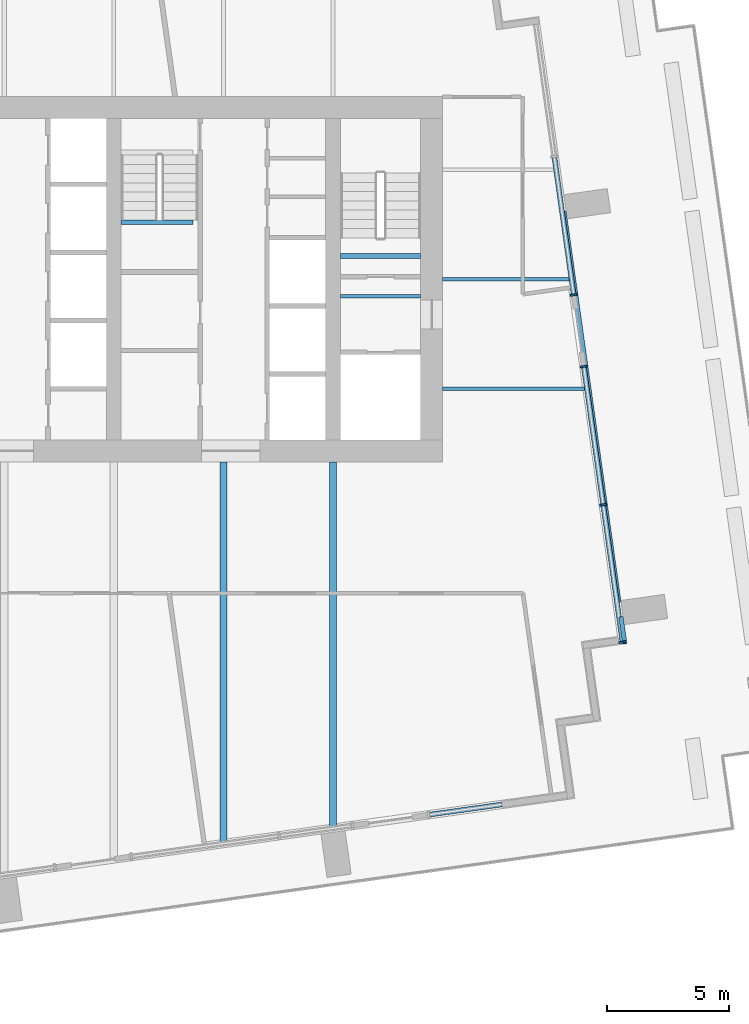
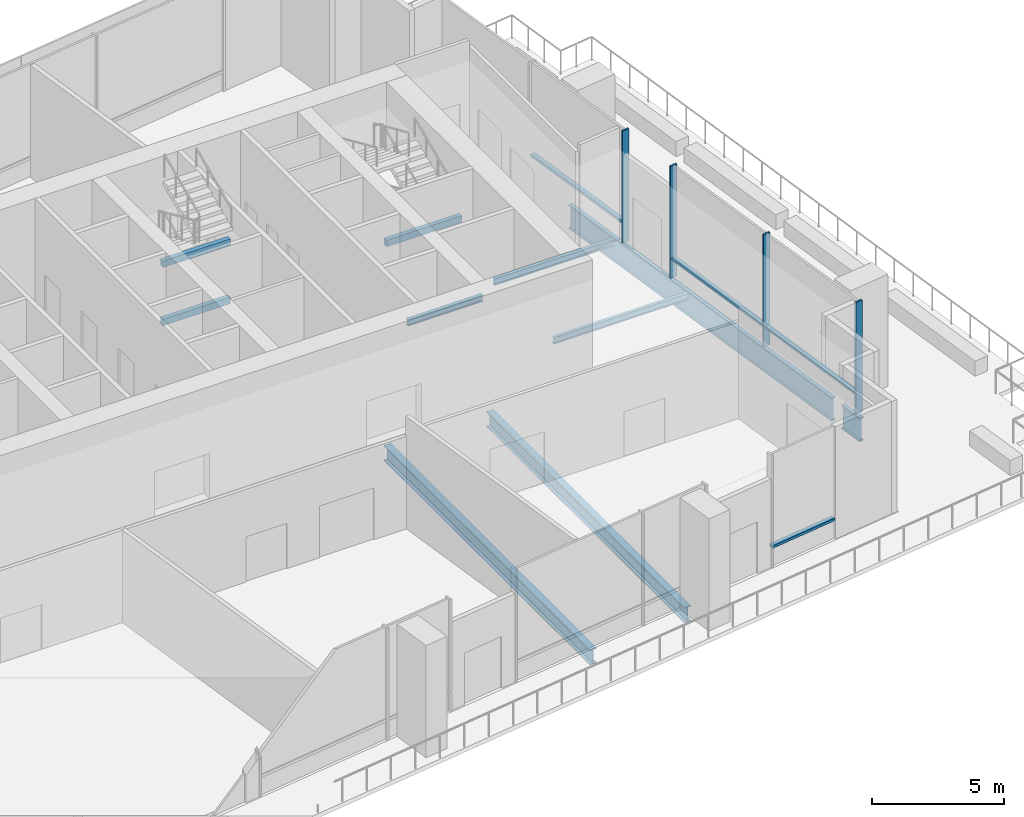
# One storey, part 3 of 14: 10 beams, 8 members, 3 elements without a shape of their own.
"""IFC4 building model written with IfcOpenShell, lengths in metres."""

from ifc_helpers import new_model, si_unit, direction, frame, origin, origin_2d, place, context, subcontext, project, spatial, rectangle, i_section, extrude, material, layer, layer_set, material_profile, profile_set, type_object, element, aggregate, save


model = new_model("IFC4")

# Units and contexts
model_context = context("Model", 3, precision=1e-05, world=origin(), true_north=direction((0.0, 1.0)))
body_context = subcontext(model_context, "Body", "Model", "MODEL_VIEW")
ifc_project = project(units=[si_unit("LENGTHUNIT", "METRE"), si_unit("AREAUNIT", "SQUARE_METRE"), si_unit("VOLUMEUNIT", "CUBIC_METRE"), si_unit("PLANEANGLEUNIT", "RADIAN"), si_unit("MASSUNIT", "GRAM", prefix="KILO")], contexts=[model_context])

# Site, building, storey
site_placement = place(None, origin())
site = spatial("IfcSite", under=ifc_project, at=site_placement, CompositionType="ELEMENT")
building_placement = place(site_placement, origin())
building = spatial("IfcBuilding", under=site, at=building_placement, Name="Rattan Terrace Tower", CompositionType="ELEMENT")
storey_placement = place(building_placement, frame((0.0, 0.0, 249.699951171875)))
storey = spatial("IfcBuildingStorey", under=building, at=storey_placement, Name="L57", CompositionType="ELEMENT", Elevation=249.699951171875)

# Beams
ifc_material_1 = material(Name="Concrete C40/50", Category="concrete")
ifc_material_profile_1 = material_profile(ifc_material_1, rectangle(XDim=0.199951171875, YDim=0.300048828125, at=origin_2d()), Name="RC 200x300")
ifc_profile_set_1 = profile_set([ifc_material_profile_1], Name="Concrete C40/50")
beam_type_1 = type_object("IfcBeamType", Name="Core landing beam RC 200x300", PredefinedType="BEAM", material=ifc_profile_set_1)
beam_1_placement = place(storey_placement, frame((13.800048828125, 0.949951171875, 2.35009765625), z_axis=(1.0, 0.0, 0.0), x_axis=(0.0, 1.0, 0.0)))
element("IfcBeam", 1, at=beam_1_placement, inside=storey, type_object=beam_type_1, Name="st-S2-L57 landing 2 edge beam", PredefinedType="BEAM", context=body_context, shape_type="SweptSolid", body=[
    extrude(rectangle(XDim=0.199951171875, YDim=0.300048828125, at=origin_2d()), origin(), (0.0, 0.0, 1.0), 3.300048828125),
])
for number, where, z_axis, x_axis, name in (
    (2, (4.800048828125, 2.340087890625, 1.0), (1.0, 0.0, 0.0), (0.0, 1.0, 0.0), "st-S3-L57 landing 1 edge beam"),
    (3, (4.800048828125, 2.340087890625, 3.699951171875), (1.0, 0.0, 0.0), (0.0, 1.0, 0.0), "st-S3-L57 landing 3 edge beam"),
):
    element("IfcBeam", number, at=place(storey_placement, frame(where, z_axis=z_axis, x_axis=x_axis)), inside=storey, type_object=beam_type_1, Name=name, PredefinedType="BEAM", context=body_context, shape_type="SweptSolid", body=[
        extrude(rectangle(XDim=0.199951171875, YDim=0.300048828125, at=origin_2d()), origin(), (0.0, 0.0, 1.0), 2.949951171875),
    ])
ifc_material_2 = material(Name="Steel S460", Category="steel")
ifc_material_profile_2 = material_profile(ifc_material_2, i_section(OverallWidth=0.179931640625, OverallDepth=1.10009765625, WebThickness=0.01611328125, FlangeThickness=0.050048828125, at=origin_2d()), Name="PG 1100x180-16-50")
ifc_profile_set_2 = profile_set([ifc_material_profile_2], Name="Steel S460")
beam_type_2 = type_object("IfcBeamType", Name="Frame edge girder PG 1100x180-16-50", PredefinedType="SPANDREL", material=ifc_profile_set_2)
beam_2_placement = place(storey_placement, frame((25.325927734375, -13.860107421875, -0.75), z_axis=(0.139178552041, -0.990267302627, 0.0), x_axis=(0.990267302627, 0.139178552041, 0.0)))
element("IfcBeam", 4, at=beam_2_placement, inside=storey, type_object=beam_type_2, Name="gdr-L57-006", PredefinedType="SPANDREL", context=body_context, shape_type="SweptSolid", body=[
    extrude(i_section(OverallWidth=0.179931640625, OverallDepth=1.10009765625, WebThickness=0.01611328125, FlangeThickness=0.050048828125, at=origin_2d()), origin(), (0.0, 0.0, 1.0), 1.1279296875),
])
beam_3_placement = place(storey_placement, frame((25.241943359375, -13.260009765625, -0.75), z_axis=(-0.139231304835, 0.990259886976, 0.0), x_axis=(-0.990259886976, -0.139231304835, 0.0)))
element("IfcBeam", 5, at=beam_3_placement, inside=storey, type_object=beam_type_2, Name="gdr-L57-007", PredefinedType="SPANDREL", context=body_context, shape_type="SweptSolid", body=[
    extrude(i_section(OverallWidth=0.179931640625, OverallDepth=1.10009765625, WebThickness=0.01611328125, FlangeThickness=0.050048828125, at=origin_2d()), origin(), (0.0, 0.0, 1.0), 16.218017578125),
])
ifc_material_3 = material(Name="Steel S355", Category="steel")
ifc_material_profile_3 = material_profile(ifc_material_3, i_section(OverallWidth=0.300048828125, OverallDepth=0.699951171875, WebThickness=0.01708984375, FlangeThickness=0.031982421875, FilletRadius=0.027099609375, at=origin_2d()), Name="HE 700 B")
ifc_profile_set_3 = profile_set([ifc_material_profile_3], Name="Steel S355")
beam_type_3 = type_object("IfcBeamType", Name="Frame floor beam HE 700 B", PredefinedType="JOIST", material=ifc_profile_set_3)
beam_4_placement = place(storey_placement, frame((9.0, -23.14892578125, -0.550048828125), z_axis=(0.0, 1.0, 0.0), x_axis=(-1.0, 0.0, 0.0)))
element("IfcBeam", 6, at=beam_4_placement, inside=storey, type_object=beam_type_3, Name="bm-L57-008", PredefinedType="JOIST", context=body_context, shape_type="SweptSolid", body=[
    extrude(i_section(OverallWidth=0.300048828125, OverallDepth=0.699951171875, WebThickness=0.01708984375, FlangeThickness=0.031982421875, FilletRadius=0.027099609375, at=origin_2d()), origin(), (0.0, 0.0, 1.0), 15.64892578125),
])
beam_5_placement = place(storey_placement, frame((13.5, -22.51611328125, -0.550048828125), z_axis=(0.0, 1.0, 0.0), x_axis=(-1.0, 0.0, 0.0)))
element("IfcBeam", 7, at=beam_5_placement, inside=storey, type_object=beam_type_3, Name="bm-L57-009", PredefinedType="JOIST", context=body_context, shape_type="SweptSolid", body=[
    extrude(i_section(OverallWidth=0.300048828125, OverallDepth=0.699951171875, WebThickness=0.01708984375, FlangeThickness=0.031982421875, FilletRadius=0.027099609375, at=origin_2d()), origin(), (0.0, 0.0, 1.0), 15.01611328125),
])
ifc_material_4 = material(Name="Steel S355", Category="steel")
ifc_material_profile_4 = material_profile(ifc_material_4, i_section(OverallWidth=0.14990234375, OverallDepth=0.300048828125, WebThickness=0.007080078125, FlangeThickness=0.0107421875, FilletRadius=0.014892578125, at=origin_2d()), Name="IPE 300")
ifc_profile_set_4 = profile_set([ifc_material_profile_4], Name="Steel S355")
beam_type_4 = type_object("IfcBeamType", Name="Frame floor beam IPE 300", PredefinedType="JOIST", material=ifc_profile_set_4)
beam_6_placement = place(storey_placement, frame((13.800048828125, -0.695068359375, -0.349853515625), z_axis=(1.0, 0.0, 0.0), x_axis=(0.0, 1.0, 0.0)))
element("IfcBeam", 8, at=beam_6_placement, inside=storey, type_object=beam_type_4, Name="bm-L57-002", PredefinedType="JOIST", context=body_context, shape_type="SweptSolid", body=[
    extrude(i_section(OverallWidth=0.14990234375, OverallDepth=0.300048828125, WebThickness=0.007080078125, FlangeThickness=0.0107421875, FilletRadius=0.014892578125, at=origin_2d()), origin(), (0.0, 0.0, 1.0), 3.300048828125),
])
beam_7_placement = place(storey_placement, frame((18.0, -4.5, -0.349853515625), z_axis=(1.0, 0.0, 0.0), x_axis=(0.0, 1.0, 0.0)))
element("IfcBeam", 9, at=beam_7_placement, inside=storey, type_object=beam_type_4, Name="bm-L57-013", PredefinedType="JOIST", context=body_context, shape_type="SweptSolid", body=[
    extrude(i_section(OverallWidth=0.14990234375, OverallDepth=0.300048828125, WebThickness=0.007080078125, FlangeThickness=0.0107421875, FilletRadius=0.014892578125, at=origin_2d()), origin(), (0.0, 0.0, 1.0), 5.908935546875),
])
beam_8_placement = place(storey_placement, frame((18.0, 0.0, -0.349853515625), z_axis=(1.0, 0.0, 0.0), x_axis=(0.0, 1.0, 0.0)))
element("IfcBeam", 10, at=beam_8_placement, inside=storey, type_object=beam_type_4, Name="bm-L57-015", PredefinedType="JOIST", context=body_context, shape_type="SweptSolid", body=[
    extrude(i_section(OverallWidth=0.14990234375, OverallDepth=0.300048828125, WebThickness=0.007080078125, FlangeThickness=0.0107421875, FilletRadius=0.014892578125, at=origin_2d()), origin(), (0.0, 0.0, 1.0), 5.27587890625),
])

# Curtain wall, members
ifc_material_5 = material(Name="Steel fins, aluminium and glass", Category="steel")
ifc_layer = layer(ifc_material_5, 0.300048828125)
ifc_layer_set = layer_set([ifc_layer], Name="Sky Lobby Stick Curtain Wall")
curtain_wall_type = type_object("IfcCurtainWallType", Name="Sky Lobby Stick Curtain Wall", PredefinedType="NOTDEFINED", material=ifc_layer_set)
curtain_wall_1_placement = place(storey_placement, origin())
curtain_wall_1 = element("IfcCurtainWall", 11, at=curtain_wall_1_placement, inside=storey, type_object=curtain_wall_type, Name="Sky lobby curtain wall L57-1", PredefinedType="NOTDEFINED")
ifc_material_6 = material(Name="Steel S355", Category="steel")
ifc_material_profile_5 = material_profile(ifc_material_6, rectangle(XDim=0.080078125, YDim=0.300048828125, at=origin_2d()), Name="Steel S355 80x300")
ifc_profile_set_5 = profile_set([ifc_material_profile_5], Name="Steel S355")
member_type_1 = type_object("IfcMemberType", Name="Sky Lobby CW Fin 80x300", PredefinedType="MULLION", material=ifc_profile_set_5)
member_1_placement = place(storey_placement, frame((25.390869140625, -14.903564453125, 0.0), z_axis=(0.0, 0.0, 1.0), x_axis=(-0.139191775431, 0.990265444036, 0.0)))
member_1 = element("IfcMember", 12, at=member_1_placement, type_object=member_type_1, Name="Mullion cwl-L57-001.1", PredefinedType="MULLION", context=body_context, shape_type="SweptSolid", body=[
    extrude(rectangle(XDim=0.080078125, YDim=0.300048828125, at=origin_2d()), origin(), (0.0, 0.0, 1.0), 5.199951171875),
])
member_2_placement = place(storey_placement, frame((24.598388671875, -9.265869140625, 0.0), z_axis=(0.0, 0.0, 1.0), x_axis=(-0.139191775431, 0.990265444036, 0.0)))
member_2 = element("IfcMember", 13, at=member_2_placement, type_object=member_type_1, Name="Mullion cwl-L57-001.2", PredefinedType="MULLION", context=body_context, shape_type="SweptSolid", body=[
    extrude(rectangle(XDim=0.080078125, YDim=0.300048828125, at=origin_2d()), origin(), (0.0, 0.0, 1.0), 5.199951171875),
])
member_3_placement = place(storey_placement, frame((23.7998046875, -3.583740234375, 0.0), z_axis=(0.0, 0.0, 1.0), x_axis=(-0.139191775431, 0.990265444036, 0.0)))
member_3 = element("IfcMember", 14, at=member_3_placement, type_object=member_type_1, Name="Mullion cwl-L57-001.3", PredefinedType="MULLION", context=body_context, shape_type="SweptSolid", body=[
    extrude(rectangle(XDim=0.080078125, YDim=0.300048828125, at=origin_2d()), origin(), (0.0, 0.0, 1.0), 5.199951171875),
])

# Curtain wall, member
curtain_wall_2_placement = place(storey_placement, origin())
curtain_wall_2 = element("IfcCurtainWall", 15, at=curtain_wall_2_placement, inside=storey, type_object=curtain_wall_type, Name="Sky lobby curtain wall L57-2", PredefinedType="NOTDEFINED")
member_4_placement = place(storey_placement, frame((23.386474609375, -0.6435546875, 0.0), z_axis=(0.0, 0.0, 1.0), x_axis=(-0.139191775431, 0.990265444036, 0.0)))
member_4 = element("IfcMember", 16, at=member_4_placement, type_object=member_type_1, Name="Mullion cwl-L57-002.1", PredefinedType="MULLION", context=body_context, shape_type="SweptSolid", body=[
    extrude(rectangle(XDim=0.080078125, YDim=0.300048828125, at=origin_2d()), origin(), (0.0, 0.0, 1.0), 5.199951171875),
])

# Member
ifc_material_7 = material(Name="Aluminium", Category="aluminium")
ifc_material_profile_6 = material_profile(ifc_material_7, rectangle(XDim=0.199951171875, YDim=0.1201171875, at=origin_2d()), Name="Aluminium 200x120")
ifc_profile_set_6 = profile_set([ifc_material_profile_6], Name="Aluminium")
member_type_2 = type_object("IfcMemberType", Name="Sky Lobby CW Transom 200x120", PredefinedType="USERDEFINED", material=ifc_profile_set_6)
member_5_placement = place(storey_placement, frame((25.38525390625, -14.864013671875, 0.900146484375), z_axis=(-0.139180192835, 0.990267072018, 0.0), x_axis=(-0.990267072018, -0.139180192835, 0.0)))
member_5 = element("IfcMember", 17, at=member_5_placement, type_object=member_type_2, Name="Transom cwl-L57-001.1", ObjectType="TRANSOM", PredefinedType="USERDEFINED", context=body_context, shape_type="SweptSolid", body=[
    extrude(rectangle(XDim=0.199951171875, YDim=0.1201171875, at=origin_2d()), origin(), (0.0, 0.0, 1.0), 5.61328125),
])

member_6_placement = place(storey_placement, frame((24.5927734375, -9.226318359375, 0.900146484375), z_axis=(-0.139197974358, 0.990264572695, 0.0), x_axis=(-0.990264572695, -0.139197974358, 0.0)))
member_6 = element("IfcMember", 18, at=member_6_placement, type_object=member_type_2, Name="Transom cwl-L57-001.2", ObjectType="TRANSOM", PredefinedType="USERDEFINED", context=body_context, shape_type="SweptSolid", body=[
    extrude(rectangle(XDim=0.199951171875, YDim=0.1201171875, at=origin_2d()), origin(), (0.0, 0.0, 1.0), 5.658203125),
])

aggregate(curtain_wall_1, [member_1, member_2, member_3, member_5, member_6])

member_7_placement = place(storey_placement, frame((23.380859375, -0.60400390625, 0.900146484375), z_axis=(-0.13920392236, 0.990263736587, 0.0), x_axis=(-0.990263736587, -0.13920392236, 0.0)))
member_7 = element("IfcMember", 19, at=member_7_placement, type_object=member_type_2, Name="Transom cwl-L57-002.1", ObjectType="TRANSOM", PredefinedType="USERDEFINED", context=body_context, shape_type="SweptSolid", body=[
    extrude(rectangle(XDim=0.199951171875, YDim=0.1201171875, at=origin_2d()), origin(), (0.0, 0.0, 1.0), 5.657958984375),
])

aggregate(curtain_wall_2, [member_4, member_7])

# Curtain wall, member
curtain_wall_3_placement = place(storey_placement, origin())
curtain_wall_3 = element("IfcCurtainWall", 20, at=curtain_wall_3_placement, inside=storey, type_object=curtain_wall_type, Name="Sky lobby curtain wall L57-8", PredefinedType="NOTDEFINED")
member_8_placement = place(storey_placement, frame((17.46240234375, -21.990234375, 0.900146484375), z_axis=(0.990260426694, 0.139227466124, 0.0), x_axis=(-0.139227466124, 0.990260426694, 0.0)))
member_8 = element("IfcMember", 21, at=member_8_placement, type_object=member_type_2, Name="Transom cwl-L57-008.1", ObjectType="TRANSOM", PredefinedType="USERDEFINED", context=body_context, shape_type="SweptSolid", body=[
    extrude(rectangle(XDim=0.199951171875, YDim=0.1201171875, at=origin_2d()), origin(), (0.0, 0.0, 1.0), 3.00732421875),
])
aggregate(curtain_wall_3, [member_8])

save(model, "model.ifc")
